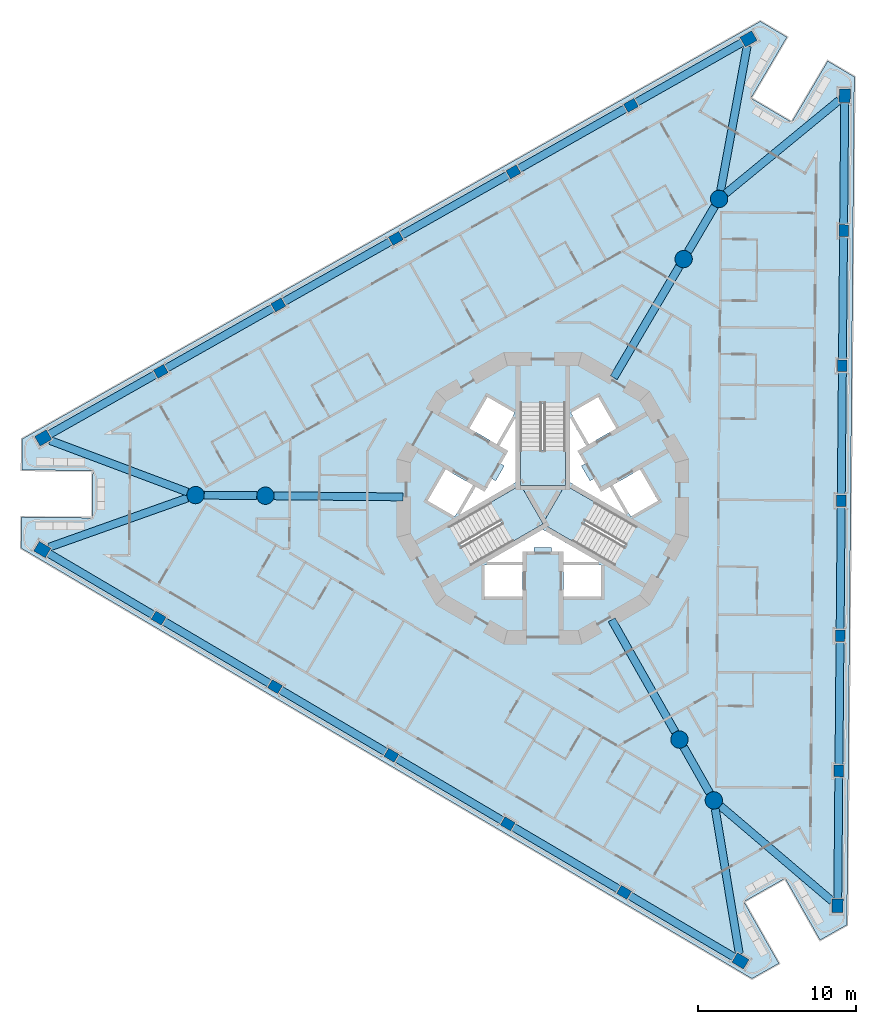
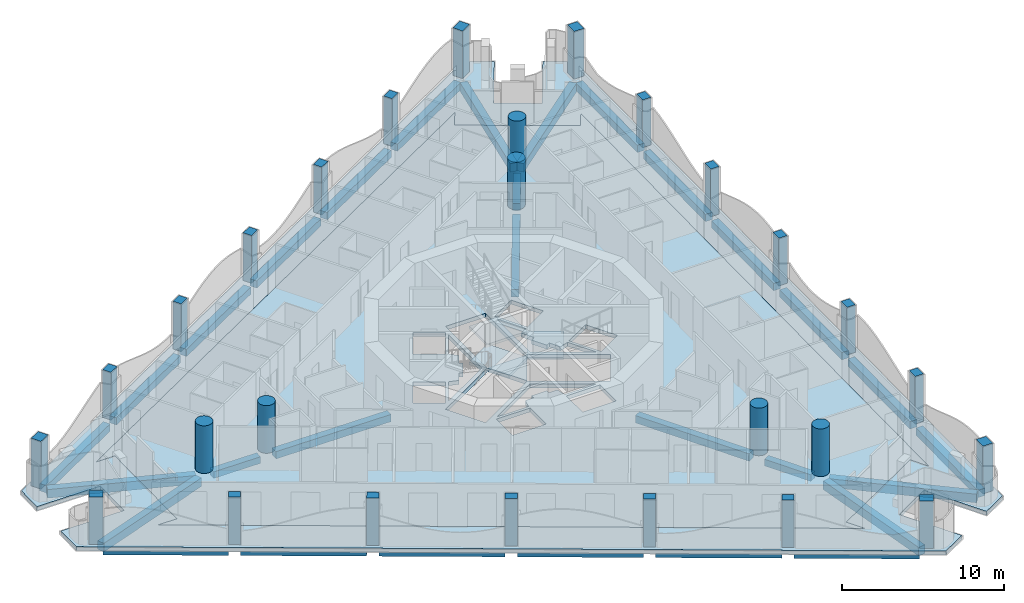
# One storey, part 1 of 17: 30 beams, 27 columns, 6 slabs, 3 elements without a shape of their own.
"""IFC4 building model written with IfcOpenShell, lengths in metres."""

from ifc_helpers import new_model, si_unit, direction, frame, origin, origin_2d, place, context, subcontext, project, spatial, polyline, rectangle, circle, outline, extrude, material, layer, layer_set, material_profile, profile_set, type_object, element, aggregate, save


model = new_model("IFC4")

# Units and contexts
model_context = context("Model", 3, precision=1e-05, world=origin(), true_north=direction((0.0, 1.0)))
body_context = subcontext(model_context, "Body", "Model", "MODEL_VIEW")
ifc_project = project(units=[si_unit("LENGTHUNIT", "METRE"), si_unit("AREAUNIT", "SQUARE_METRE"), si_unit("VOLUMEUNIT", "CUBIC_METRE"), si_unit("PLANEANGLEUNIT", "RADIAN"), si_unit("MASSUNIT", "GRAM", prefix="KILO")], contexts=[model_context])

# Site, building, storey
site_placement = place(None, origin())
site = spatial("IfcSite", under=ifc_project, at=site_placement, CompositionType="ELEMENT")
building_placement = place(site_placement, origin())
building = spatial("IfcBuilding", under=site, at=building_placement, Name="Trine Commons Tower", CompositionType="ELEMENT")
storey_placement = place(building_placement, frame((0.0, 0.0, 179.10009765625)))
storey = spatial("IfcBuildingStorey", under=building, at=storey_placement, Name="L46", CompositionType="ELEMENT", Elevation=179.10009765625)

# Columns
ifc_material_1 = material(Name="Concrete C60/75", Category="concrete")
ifc_material_profile_1 = material_profile(ifc_material_1, rectangle(XDim=0.75, YDim=0.60009765625, at=origin_2d()), Name="RC 750x600")
ifc_profile_set_1 = profile_set([ifc_material_profile_1], Name="Concrete C60/75")
column_type_1 = type_object("IfcColumnType", Name="RC column 750x600, C60/75", PredefinedType="COLUMN", material=ifc_profile_set_1)
for number, where, z_axis, x_axis, name in (
    (1, (85.15771484375, 37.483154296875, 0.0), (0.0, 0.0, 1.0), (-0.861629160442, 0.507538362961, 0.0), "Column PC5-02 L46"),
    (2, (77.773193359375, 41.8330078125, 0.0), (0.0, 0.0, 1.0), (-0.861629160442, 0.507538362961, 0.0), "Column PC5-03 L46"),
    (3, (70.388427734375, 46.182861328125, 0.0), (0.0, 0.0, 1.0), (-0.861629160442, 0.507538362961, 0.0), "Column PC5-04 L46"),
    (4, (63.00390625, 50.53271484375, 0.0), (0.0, 0.0, 1.0), (-0.861629160442, 0.507538362961, 0.0), "Column PC5-05 L46"),
    (5, (55.619140625, 54.8828125, 0.0), (0.0, 0.0, 1.0), (-0.861629160442, 0.507538362961, 0.0), "Column PC5-06 L46"),
    (6, (55.755859375, 70.541748046875, 0.0), (0.0, 0.0, 1.0), (0.87035569594, 0.492423560103, 0.0), "Column PC5-09 L46"),
    (7, (63.215087890625, 74.761962890625, 0.0), (0.0, 0.0, 1.0), (0.87035569594, 0.492423560103, 0.0), "Column PC5-10 L46"),
    (8, (70.6748046875, 78.982421875, 0.0), (0.0, 0.0, 1.0), (0.87035569594, 0.492423560103, 0.0), "Column PC5-11 L46"),
    (9, (78.13427734375, 83.202880859375, 0.0), (0.0, 0.0, 1.0), (0.87035569594, 0.492423560103, 0.0), "Column PC5-12 L46"),
    (10, (85.59375, 87.423095703125, 0.0), (0.0, 0.0, 1.0), (0.87035569594, 0.492423560103, 0.0), "Column PC5-13 L46"),
    (11, (99.08642578125, 79.475341796875, 0.0), (0.0, 0.0, 1.0), (0.008726535498, 0.999961923064, 0.0), "Column PC5-16 L46"),
    (12, (99.01171875, 70.905029296875, 0.0), (0.0, 0.0, 1.0), (0.008726535498, 0.999961923064, 0.0), "Column PC5-17 L46"),
    (13, (98.936767578125, 62.334716796875, 0.0), (0.0, 0.0, 1.0), (0.008726535498, 0.999961923064, 0.0), "Column PC5-18 L46"),
    (14, (98.862060546875, 53.764404296875, 0.0), (0.0, 0.0, 1.0), (0.008726535498, 0.999961923064, 0.0), "Column PC5-19 L46"),
    (15, (98.787109375, 45.194091796875, 0.0), (0.0, 0.0, 1.0), (0.008726535498, 0.999961923064, 0.0), "Column PC5-20 L46"),
):
    element("IfcColumn", number, at=place(storey_placement, frame(where, z_axis=z_axis, x_axis=x_axis)), inside=storey, type_object=column_type_1, Name=name, PredefinedType="COLUMN", context=body_context, shape_type="SweptSolid", body=[
        extrude(rectangle(XDim=0.75, YDim=0.60009765625, at=origin_2d()), origin(), (0.0, 0.0, 1.0), 3.599853515625),
    ])
ifc_material_profile_2 = material_profile(ifc_material_1, rectangle(XDim=0.85009765625, YDim=0.699951171875, at=origin_2d()), Name="RC 850x700")
ifc_profile_set_2 = profile_set([ifc_material_profile_2], Name="Concrete C60/75")
column_type_2 = type_object("IfcColumnType", Name="RC column 850x700, C60/75", PredefinedType="COLUMN", material=ifc_profile_set_2)
for number, where, z_axis, x_axis, name in (
    (16, (92.54248046875, 33.133056640625, 0.0), (0.0, 0.0, 1.0), (-0.861629160442, 0.507538362961, 0.0), "Column PC5-01 L46"),
    (17, (48.234375, 59.232666015625, 0.0), (0.0, 0.0, 1.0), (-0.861629160442, 0.507538362961, 0.0), "Column PC5-07 L46"),
    (18, (48.29638671875, 66.3212890625, 0.0), (0.0, 0.0, 1.0), (0.87035569594, 0.492423560103, 0.0), "Column PC5-08 L46"),
    (19, (93.052978515625, 91.6435546875, 0.0), (0.0, 0.0, 1.0), (0.87035569594, 0.492423560103, 0.0), "Column PC5-14 L46"),
    (20, (99.1611328125, 88.045654296875, 0.0), (0.0, 0.0, 1.0), (0.008726535498, 0.999961923064, 0.0), "Column PC5-15 L46"),
    (21, (98.71240234375, 36.623779296875, 0.0), (0.0, 0.0, 1.0), (0.008726535498, 0.999961923064, 0.0), "Column PC5-21 L46"),
):
    element("IfcColumn", number, at=place(storey_placement, frame(where, z_axis=z_axis, x_axis=x_axis)), inside=storey, type_object=column_type_2, Name=name, PredefinedType="COLUMN", context=body_context, shape_type="SweptSolid", body=[
        extrude(rectangle(XDim=0.85009765625, YDim=0.699951171875, at=origin_2d()), origin(), (0.0, 0.0, 1.0), 3.599853515625),
    ])
ifc_material_profile_3 = material_profile(ifc_material_1, circle(Radius=0.550048828125, at=origin_2d()), Name="RC round 1100")
ifc_profile_set_3 = profile_set([ifc_material_profile_3], Name="Concrete C60/75")
column_type_3 = type_object("IfcColumnType", Name="RC round column 1100 mm, C60/75", PredefinedType="COLUMN", material=ifc_profile_set_3)
for number, where, z_axis, x_axis, name in (
    (22, (88.66943359375, 47.177001953125, 0.0), (0.0, 0.0, 1.0), (1.0, 0.0, 0.0), "Column WC5-1 L46"),
    (23, (90.85205078125, 43.319091796875, 0.0), (0.0, 0.0, 1.0), (1.0, 0.0, 0.0), "Column WC5-2 L46"),
    (24, (88.935546875, 77.66943359375, 0.0), (0.0, 0.0, 1.0), (1.0, 0.0, 0.0), "Column WC5-3 L46"),
    (25, (91.185302734375, 81.488525390625, 0.0), (0.0, 0.0, 1.0), (1.0, 0.0, 0.0), "Column WC5-4 L46"),
    (26, (62.39501953125, 62.653564453125, 0.0), (0.0, 0.0, 1.0), (1.0, 0.0, 0.0), "Column WC5-5 L46"),
    (27, (57.962890625, 62.6923828125, 0.0), (0.0, 0.0, 1.0), (1.0, 0.0, 0.0), "Column WC5-6 L46"),
):
    element("IfcColumn", number, at=place(storey_placement, frame(where, z_axis=z_axis, x_axis=x_axis)), inside=storey, type_object=column_type_3, Name=name, PredefinedType="COLUMN", context=body_context, shape_type="SweptSolid", body=[
        extrude(circle(Radius=0.550048828125, at=origin_2d()), origin(), (0.0, 0.0, 1.0), 3.599853515625),
    ])

# Beams
ifc_material_2 = material(Name="Concrete C40/50", Category="concrete")
ifc_material_profile_4 = material_profile(ifc_material_2, rectangle(XDim=0.5, YDim=0.5, at=origin_2d()), Name="RC 500x500")
ifc_profile_set_4 = profile_set([ifc_material_profile_4], Name="Concrete C40/50")
beam_type_1 = type_object("IfcBeamType", Name="RC beam 500x500, C40/50", PredefinedType="BEAM", material=ifc_profile_set_4)
beam_1_placement = place(storey_placement, frame((88.93994140625, 46.698486328125, -0.550048828125), z_axis=(0.492474717644, -0.870326750411, 0.0), x_axis=(0.870326750411, 0.492474717644, 0.0)))
element("IfcBeam", 28, at=beam_1_placement, inside=storey, type_object=beam_type_1, Name="Beam RB5-02 L46", PredefinedType="BEAM", context=body_context, shape_type="SweptSolid", body=[
    extrude(rectangle(XDim=0.5, YDim=0.5, at=origin_2d()), origin(), (0.0, 0.0, 1.0), 3.333251953125),
])
beam_2_placement = place(storey_placement, frame((89.21435546875, 78.142578125, -0.550048828125), z_axis=(0.507522450497, 0.861638533401, 0.0), x_axis=(-0.861638533401, 0.507522450497, 0.0)))
element("IfcBeam", 29, at=beam_2_placement, inside=storey, type_object=beam_type_1, Name="Beam RB5-04 L46", PredefinedType="BEAM", context=body_context, shape_type="SweptSolid", body=[
    extrude(rectangle(XDim=0.5, YDim=0.5, at=origin_2d()), origin(), (0.0, 0.0, 1.0), 3.334228515625),
])
beam_3_placement = place(storey_placement, frame((61.84521484375, 62.658447265625, -0.550048828125), z_axis=(-0.999962000851, 0.008717617443, 0.0), x_axis=(-0.008717617443, -0.999962000851, 0.0)))
element("IfcBeam", 30, at=beam_3_placement, inside=storey, type_object=beam_type_1, Name="Beam RB5-06 L46", PredefinedType="BEAM", context=body_context, shape_type="SweptSolid", body=[
    extrude(rectangle(XDim=0.5, YDim=0.5, at=origin_2d()), origin(), (0.0, 0.0, 1.0), 3.332763671875),
])
ifc_material_profile_5 = material_profile(ifc_material_2, rectangle(XDim=0.5, YDim=0.550048828125, at=origin_2d()), Name="RC 500x550")
ifc_profile_set_5 = profile_set([ifc_material_profile_5], Name="Concrete C40/50")
beam_type_2 = type_object("IfcBeamType", Name="RC beam 500x550, C40/50", PredefinedType="BEAM", material=ifc_profile_set_5)
beam_4_placement = place(storey_placement, frame((92.17626953125, 33.348876953125, -0.5751953125), z_axis=(-0.861628755535, 0.507539050354, 0.0), x_axis=(-0.507539050354, -0.861628755535, 0.0)))
element("IfcBeam", 31, at=beam_4_placement, inside=storey, type_object=beam_type_2, Name="Beam EB5-01 L46", PredefinedType="BEAM", context=body_context, shape_type="SweptSolid", body=[
    extrude(rectangle(XDim=0.5, YDim=0.550048828125, at=origin_2d()), origin(), (0.0, 0.0, 1.0), 7.7705078125),
])
beam_5_placement = place(storey_placement, frame((84.834716796875, 37.67333984375, -0.5751953125), z_axis=(-0.861632320767, 0.507532997755, 0.0), x_axis=(-0.507532997755, -0.861632320767, 0.0)))
element("IfcBeam", 32, at=beam_5_placement, inside=storey, type_object=beam_type_2, Name="Beam EB5-02 L46", PredefinedType="BEAM", context=body_context, shape_type="SweptSolid", body=[
    extrude(rectangle(XDim=0.5, YDim=0.550048828125, at=origin_2d()), origin(), (0.0, 0.0, 1.0), 7.820556640625),
])
beam_6_placement = place(storey_placement, frame((77.4501953125, 42.023193359375, -0.5751953125), z_axis=(-0.861618669075, 0.507556173345, 0.0), x_axis=(-0.507556173345, -0.861618669075, 0.0)))
element("IfcBeam", 33, at=beam_6_placement, inside=storey, type_object=beam_type_2, Name="Beam EB5-03 L46", PredefinedType="BEAM", context=body_context, shape_type="SweptSolid", body=[
    extrude(rectangle(XDim=0.5, YDim=0.550048828125, at=origin_2d()), origin(), (0.0, 0.0, 1.0), 7.82080078125),
])
for number, where, z_axis, x_axis, name in (
    (34, (70.0654296875, 46.373291015625, -0.5751953125), (-0.861632320767, 0.507532997755, 0.0), (-0.507532997755, -0.861632320767, 0.0), "Beam EB5-04 L46"),
    (35, (62.6806640625, 50.72314453125, -0.5751953125), (-0.861632320767, 0.507532997755, 0.0), (-0.507532997755, -0.861632320767, 0.0), "Beam EB5-05 L46"),
):
    element("IfcBeam", number, at=place(storey_placement, frame(where, z_axis=z_axis, x_axis=x_axis)), inside=storey, type_object=beam_type_2, Name=name, PredefinedType="BEAM", context=body_context, shape_type="SweptSolid", body=[
        extrude(rectangle(XDim=0.5, YDim=0.550048828125, at=origin_2d()), origin(), (0.0, 0.0, 1.0), 7.820556640625),
    ])
for number, where, z_axis, x_axis, name in (
    (36, (55.2958984375, 55.072998046875, -0.5751953125), (-0.861628755535, 0.507539050354, 0.0), (-0.507539050354, -0.861628755535, 0.0), "Beam EB5-06 L46"),
    (37, (48.666259765625, 66.530517578125, -0.5751953125), (0.870356200913, 0.492422667566, 0.0), (-0.492422667566, 0.870356200913, 0.0), "Beam EB5-07 L46"),
):
    element("IfcBeam", number, at=place(storey_placement, frame(where, z_axis=z_axis, x_axis=x_axis)), inside=storey, type_object=beam_type_2, Name=name, PredefinedType="BEAM", context=body_context, shape_type="SweptSolid", body=[
        extrude(rectangle(XDim=0.5, YDim=0.550048828125, at=origin_2d()), origin(), (0.0, 0.0, 1.0), 7.7705078125),
    ])
for number, where, z_axis, x_axis, name in (
    (38, (56.082275390625, 70.726318359375, -0.5751953125), (0.87035228491, 0.49242958903, 0.0), (-0.49242958903, 0.87035228491, 0.0), "Beam EB5-08 L46"),
    (39, (63.54150390625, 74.94677734375, -0.5751953125), (0.870373233333, 0.492392561578, 0.0), (-0.492392561578, 0.870373233333, 0.0), "Beam EB5-09 L46"),
    (40, (71.001220703125, 79.1669921875, -0.5751953125), (0.87035228491, 0.49242958903, 0.0), (-0.49242958903, 0.87035228491, 0.0), "Beam EB5-10 L46"),
    (41, (78.460693359375, 83.387451171875, -0.5751953125), (0.870365664344, 0.492405940592, 0.0), (-0.492405940592, 0.870365664344, 0.0), "Beam EB5-11 L46"),
):
    element("IfcBeam", number, at=place(storey_placement, frame(where, z_axis=z_axis, x_axis=x_axis)), inside=storey, type_object=beam_type_2, Name=name, PredefinedType="BEAM", context=body_context, shape_type="SweptSolid", body=[
        extrude(rectangle(XDim=0.5, YDim=0.550048828125, at=origin_2d()), origin(), (0.0, 0.0, 1.0), 7.820556640625),
    ])
beam_7_placement = place(storey_placement, frame((85.920166015625, 87.60791015625, -0.5751953125), z_axis=(0.870362048186, 0.492412332377, 0.0), x_axis=(-0.492412332377, 0.870362048186, 0.0)))
element("IfcBeam", 42, at=beam_7_placement, inside=storey, type_object=beam_type_2, Name="Beam EB5-12 L46", PredefinedType="BEAM", context=body_context, shape_type="SweptSolid", body=[
    extrude(rectangle(XDim=0.5, YDim=0.550048828125, at=origin_2d()), origin(), (0.0, 0.0, 1.0), 7.770263671875),
])
beam_8_placement = place(storey_placement, frame((99.157470703125, 87.62060546875, -0.5751953125), z_axis=(-0.008734388901, -0.999961854498, 0.0), x_axis=(0.999961854498, -0.008734388901, 0.0)))
element("IfcBeam", 43, at=beam_8_placement, inside=storey, type_object=beam_type_2, Name="Beam EB5-13 L46", PredefinedType="BEAM", context=body_context, shape_type="SweptSolid", body=[
    extrude(rectangle(XDim=0.5, YDim=0.550048828125, at=origin_2d()), origin(), (0.0, 0.0, 1.0), 7.7705078125),
])
for number, where, z_axis, x_axis, name in (
    (44, (99.0830078125, 79.100341796875, -0.5751953125), (-0.008709709586, -0.99996206976, 0.0), (0.99996206976, -0.008709709586, 0.0), "Beam EB5-14 L46"),
    (45, (99.00830078125, 70.530029296875, -0.5751953125), (-0.008709709586, -0.99996206976, 0.0), (0.99996206976, -0.008709709586, 0.0), "Beam EB5-15 L46"),
    (46, (98.93359375, 61.959716796875, -0.5751953125), (-0.008740924802, -0.999961797387, 0.0), (0.999961797387, -0.008740924802, 0.0), "Beam EB5-16 L46"),
    (47, (98.858642578125, 53.389404296875, -0.5751953125), (-0.008709709586, -0.99996206976, 0.0), (0.99996206976, -0.008709709586, 0.0), "Beam EB5-17 L46"),
):
    element("IfcBeam", number, at=place(storey_placement, frame(where, z_axis=z_axis, x_axis=x_axis)), inside=storey, type_object=beam_type_2, Name=name, PredefinedType="BEAM", context=body_context, shape_type="SweptSolid", body=[
        extrude(rectangle(XDim=0.5, YDim=0.550048828125, at=origin_2d()), origin(), (0.0, 0.0, 1.0), 7.820556640625),
    ])
beam_9_placement = place(storey_placement, frame((98.783935546875, 44.819091796875, -0.5751953125), z_axis=(-0.008734388901, -0.999961854498, 0.0), x_axis=(0.999961854498, -0.008734388901, 0.0)))
element("IfcBeam", 48, at=beam_9_placement, inside=storey, type_object=beam_type_2, Name="Beam EB5-18 L46", PredefinedType="BEAM", context=body_context, shape_type="SweptSolid", body=[
    extrude(rectangle(XDim=0.5, YDim=0.550048828125, at=origin_2d()), origin(), (0.0, 0.0, 1.0), 7.7705078125),
])
beam_10_placement = place(storey_placement, frame((84.369384765625, 54.777099609375, -0.5751953125), z_axis=(0.492419995537, -0.870357712665, 0.0), x_axis=(0.870357712665, 0.492419995537, 0.0)))
element("IfcBeam", 49, at=beam_10_placement, inside=storey, type_object=beam_type_2, Name="Beam RB5-01 L46", PredefinedType="BEAM", context=body_context, shape_type="SweptSolid", body=[
    extrude(rectangle(XDim=0.5, YDim=0.550048828125, at=origin_2d()), origin(), (0.0, 0.0, 1.0), 8.1826171875),
])
beam_11_placement = place(storey_placement, frame((84.50341796875, 70.1455078125, -0.5751953125), z_axis=(0.507559825452, 0.861616517708, 0.0), x_axis=(-0.861616517708, 0.507559825452, 0.0)))
element("IfcBeam", 50, at=beam_11_placement, inside=storey, type_object=beam_type_2, Name="Beam RB5-03 L46", PredefinedType="BEAM", context=body_context, shape_type="SweptSolid", body=[
    extrude(rectangle(XDim=0.5, YDim=0.550048828125, at=origin_2d()), origin(), (0.0, 0.0, 1.0), 8.182861328125),
])
beam_12_placement = place(storey_placement, frame((71.127197265625, 62.577392578125, -0.5751953125), z_axis=(-0.999962048186, 0.008712186128, 0.0), x_axis=(-0.008712186128, -0.999962048186, 0.0)))
element("IfcBeam", 51, at=beam_12_placement, inside=storey, type_object=beam_type_2, Name="Beam RB5-05 L46", PredefinedType="BEAM", context=body_context, shape_type="SweptSolid", body=[
    extrude(rectangle(XDim=0.5, YDim=0.550048828125, at=origin_2d()), origin(), (0.0, 0.0, 1.0), 8.1826171875),
])
ifc_material_profile_6 = material_profile(ifc_material_2, rectangle(XDim=0.5, YDim=0.64990234375, at=origin_2d()), Name="RC 500x650")
ifc_profile_set_6 = profile_set([ifc_material_profile_6], Name="Concrete C40/50")
beam_type_3 = type_object("IfcBeamType", Name="RC beam 500x650, C40/50", PredefinedType="BEAM", material=ifc_profile_set_6)
beam_13_placement = place(storey_placement, frame((48.664306640625, 59.385498046875, -0.625), z_axis=(0.94219208675, 0.335073233287, 0.0), x_axis=(-0.335073233287, 0.94219208675, 0.0)))
element("IfcBeam", 52, at=beam_13_placement, inside=storey, type_object=beam_type_3, Name="Beam CB5-01 L46", PredefinedType="BEAM", context=body_context, shape_type="SweptSolid", body=[
    extrude(rectangle(XDim=0.5, YDim=0.64990234375, at=origin_2d()), origin(), (0.0, 0.0, 1.0), 9.31982421875),
])
beam_14_placement = place(storey_placement, frame((48.7236328125, 66.160888671875, -0.625), z_axis=(0.936203156272, -0.351459315123, 0.0), x_axis=(0.351459315123, 0.936203156272, 0.0)))
element("IfcBeam", 53, at=beam_14_placement, inside=storey, type_object=beam_type_3, Name="Beam CB5-02 L46", PredefinedType="BEAM", context=body_context, shape_type="SweptSolid", body=[
    extrude(rectangle(XDim=0.5, YDim=0.64990234375, at=origin_2d()), origin(), (0.0, 0.0, 1.0), 9.3193359375),
])
beam_15_placement = place(storey_placement, frame((92.970458984375, 91.194580078125, -0.625), z_axis=(-0.180897704794, -0.983501916826, 0.0), x_axis=(0.983501916826, -0.180897704794, 0.0)))
element("IfcBeam", 54, at=beam_15_placement, inside=storey, type_object=beam_type_3, Name="Beam CB5-03 L46", PredefinedType="BEAM", context=body_context, shape_type="SweptSolid", body=[
    extrude(rectangle(XDim=0.5, YDim=0.64990234375, at=origin_2d()), origin(), (0.0, 0.0, 1.0), 9.319091796875),
])
beam_16_placement = place(storey_placement, frame((98.80859375, 87.755859375, -0.625), z_axis=(-0.772466897343, -0.635055031087, 0.0), x_axis=(0.635055031087, -0.772466897343, 0.0)))
element("IfcBeam", 55, at=beam_16_placement, inside=storey, type_object=beam_type_3, Name="Beam CB5-04 L46", PredefinedType="BEAM", context=body_context, shape_type="SweptSolid", body=[
    extrude(rectangle(XDim=0.5, YDim=0.64990234375, at=origin_2d()), origin(), (0.0, 0.0, 1.0), 9.31884765625),
])
beam_17_placement = place(storey_placement, frame((98.364990234375, 36.919921875, -0.625), z_axis=(-0.761281547068, 0.648421472573, 0.0), x_axis=(-0.648421472573, -0.761281547068, 0.0)))
element("IfcBeam", 56, at=beam_17_placement, inside=storey, type_object=beam_type_3, Name="Beam CB5-05 L46", PredefinedType="BEAM", context=body_context, shape_type="SweptSolid", body=[
    extrude(rectangle(XDim=0.5, YDim=0.64990234375, at=origin_2d()), origin(), (0.0, 0.0, 1.0), 9.319091796875),
])
beam_18_placement = place(storey_placement, frame((92.4677734375, 33.583251953125, -0.625), z_axis=(-0.163727753956, 0.986505561355, 0.0), x_axis=(-0.986505561355, -0.163727753956, 0.0)))
element("IfcBeam", 57, at=beam_18_placement, inside=storey, type_object=beam_type_3, Name="Beam CB5-06 L46", PredefinedType="BEAM", context=body_context, shape_type="SweptSolid", body=[
    extrude(rectangle(XDim=0.5, YDim=0.64990234375, at=origin_2d()), origin(), (0.0, 0.0, 1.0), 9.319580078125),
])

# Slabs
ifc_layer_1 = layer(ifc_material_2, 0.300048828125)
ifc_layer_set_1 = layer_set([ifc_layer_1], Name="Concrete C40/50")
slab_type_1 = type_object("IfcSlabType", Name="Loggia slab 300 mm, C40/50", PredefinedType="FLOOR", material=ifc_layer_set_1)
slab_1_placement = place(storey_placement, frame((0.0, 0.0, -0.300048828125)))
element("IfcSlab", 58, at=slab_1_placement, inside=storey, type_object=slab_type_1, Name="Loggia slab L46", PredefinedType="FLOOR", context=body_context, shape_type="SweptSolid", body=[
    extrude(outline(polyline([(99.302001953125, 35.418701171875), (99.771484375, 89.240234375), (98.079345703125, 90.237060546875), (95.79541015625, 86.35986328125), (93.21044921875, 87.88232421875), (95.494384765625, 91.759765625), (93.802001953125, 92.756591796875), (46.956298828125, 66.252685546875), (46.939208984375, 64.28857421875), (51.439208984375, 64.249267578125), (51.412841796875, 61.24951171875), (46.9130859375, 61.288818359375), (46.89599609375, 59.32470703125), (93.27197265625, 32.007080078125), (94.9814453125, 32.974365234375), (92.765380859375, 36.890869140625), (95.376708984375, 38.3681640625), (97.592529296875, 34.45166015625), (99.302001953125, 35.418701171875)]), holes=[polyline([(90.156982421875, 36.627197265625), (89.494873046875, 37.7978515625), (96.28369140625, 41.638916015625), (96.94580078125, 40.46826171875), (97.327880859375, 84.232666015625), (96.645263671875, 83.07373046875), (89.924560546875, 87.03271484375), (90.607177734375, 88.19140625), (52.514892578125, 66.639892578125), (53.860107421875, 66.62841796875), (53.7919921875, 58.82861328125), (52.447021484375, 58.84033203125), (90.156982421875, 36.627197265625)])]), origin(), (0.0, 0.0, 1.0), 0.300048828125),
])
ifc_layer_2 = layer(ifc_material_2, 0.300048828125)
ifc_layer_set_2 = layer_set([ifc_layer_2], Name="Concrete C40/50")
slab_type_2 = type_object("IfcSlabType", Name="PT flat slab 300 mm, C40/50", PredefinedType="FLOOR", material=ifc_layer_set_2)
slab_2_placement = place(storey_placement, frame((0.0, 0.0, -0.300048828125)))
element("IfcSlab", 59, at=slab_2_placement, inside=storey, type_object=slab_type_2, Name="Floor slab L46", PredefinedType="FLOOR", context=body_context, shape_type="SweptSolid", body=[
    extrude(outline(polyline([(52.447021484375, 58.84033203125), (90.156982421875, 36.627197265625), (89.494873046875, 37.7978515625), (96.28369140625, 41.638916015625), (96.94580078125, 40.46826171875), (97.327880859375, 84.232666015625), (96.645263671875, 83.07373046875), (89.924560546875, 87.03271484375), (90.607177734375, 88.19140625), (52.514892578125, 66.639892578125), (53.860107421875, 66.62841796875), (53.7919921875, 58.82861328125), (52.447021484375, 58.84033203125)]), holes=[polyline([(78.699951171875, 56.25), (78.699951171875, 58.25), (76.300048828125, 58.25), (76.300048828125, 56.25), (78.699951171875, 56.25)]), polyline([(80.0, 60.8544921875), (84.4755859375, 58.2705078125), (85.900390625, 60.73876953125), (81.425048828125, 63.32275390625), (81.425048828125, 68.490478515625), (78.574951171875, 68.490478515625), (78.574951171875, 63.32275390625), (74.099609375, 60.73876953125), (75.5244140625, 58.2705078125), (80.0, 60.8544921875)]), polyline([(73.83740234375, 64.325927734375), (72.687255859375, 62.333984375), (74.41943359375, 61.333984375), (75.5693359375, 63.325927734375), (73.83740234375, 64.325927734375)]), polyline([(76.381103515625, 63.031005859375), (75.742919921875, 63.22607421875), (74.7099609375, 61.43798828125), (78.27490234375, 63.49609375), (78.27490234375, 67.612060546875), (77.242919921875, 65.823974609375), (77.73095703125, 65.368896484375), (77.3310546875, 64.676025390625), (77.555908203125, 64.5458984375), (77.006103515625, 63.593994140625), (76.781005859375, 63.722900390625), (76.381103515625, 63.031005859375)]), polyline([(76.4873046875, 68.916015625), (75.33740234375, 66.924072265625), (77.0693359375, 65.924072265625), (78.219482421875, 67.916015625), (76.4873046875, 68.916015625)]), polyline([(83.699951171875, 56.25), (83.699951171875, 58.25), (81.300048828125, 58.25), (81.300048828125, 56.25), (83.699951171875, 56.25)]), polyline([(81.14990234375, 59.10009765625), (81.300048828125, 58.449951171875), (83.56494140625, 58.449951171875), (80.0, 60.508056640625), (76.43505859375, 58.449951171875), (78.699951171875, 58.449951171875), (78.85009765625, 59.10009765625), (79.449951171875, 59.10009765625), (79.449951171875, 59.360107421875), (80.550048828125, 59.360107421875), (80.550048828125, 59.10009765625), (81.14990234375, 59.10009765625)]), polyline([(86.16259765625, 64.325927734375), (84.4306640625, 63.325927734375), (85.58056640625, 61.333984375), (87.312744140625, 62.333984375), (86.16259765625, 64.325927734375)]), polyline([(83.243896484375, 63.738037109375), (82.993896484375, 63.593994140625), (82.444091796875, 64.5458984375), (82.72705078125, 64.7099609375), (82.281005859375, 65.549072265625), (82.757080078125, 65.823974609375), (81.72509765625, 67.612060546875), (81.72509765625, 63.49609375), (85.2900390625, 61.43798828125), (84.257080078125, 63.22607421875), (83.618896484375, 63.031005859375), (83.243896484375, 63.738037109375)]), polyline([(84.66259765625, 66.924072265625), (83.5126953125, 68.916015625), (81.780517578125, 67.916015625), (82.9306640625, 65.924072265625), (84.66259765625, 66.924072265625)])]), origin(), (0.0, 0.0, 1.0), 0.300048828125),
])
slab_3_placement = place(storey_placement, frame((0.0, 0.0, -0.300048828125)))
element("IfcSlab", 60, at=slab_3_placement, inside=storey, type_object=slab_type_2, Name="Floor slab L46 2", PredefinedType="FLOOR", context=body_context, shape_type="SweptSolid", body=[
    extrude(outline(polyline([(78.61328125, 63.300537109375), (80.0, 60.89892578125), (81.38671875, 63.300537109375), (78.61328125, 63.300537109375)])), origin(), (0.0, 0.0, 1.0), 0.300048828125),
])

# Stair, slab
ifc_material_3 = material(Name="Concrete C50/60", Category="concrete")
stair_type = type_object("IfcStairType", Name="Exit stair, dog-leg, 24 risers of 150 mm", PredefinedType="HALF_TURN_STAIR", material=ifc_material_3)
stair_1_placement = place(storey_placement, origin())
stair_1 = element("IfcStair", 61, at=stair_1_placement, inside=storey, type_object=stair_type, Name="L46 Exit stair ST1B", PredefinedType="HALF_TURN_STAIR")
ifc_layer_3 = layer(ifc_material_3, 0.199951171875)
ifc_layer_set_3 = layer_set([ifc_layer_3], Name="Concrete C50/60")
slab_type_3 = type_object("IfcSlabType", Name="Stair landing slab 200 mm, C50/60", PredefinedType="LANDING", material=ifc_layer_set_3)
slab_4_placement = place(storey_placement, frame((0.0, 0.0, 1.599853515625)))
slab_4 = element("IfcSlab", 62, at=slab_4_placement, type_object=slab_type_3, Name="ST1B landing 1", PredefinedType="LANDING", context=body_context, shape_type="SweptSolid", body=[
    extrude(outline(polyline([(78.574951171875, 65.570556640625), (78.574951171875, 63.300537109375), (81.425048828125, 63.300537109375), (81.425048828125, 65.570556640625), (78.574951171875, 65.570556640625)])), origin(), (0.0, 0.0, 1.0), 0.199951171875),
])
aggregate(stair_1, [slab_4])

stair_2_placement = place(storey_placement, origin())
stair_2 = element("IfcStair", 63, at=stair_2_placement, inside=storey, type_object=stair_type, Name="L46 Exit stair ST2B", PredefinedType="HALF_TURN_STAIR")
slab_5_placement = place(storey_placement, frame((0.0, 0.0, 1.599853515625)))
slab_5 = element("IfcSlab", 64, at=slab_5_placement, type_object=slab_type_3, Name="ST2B landing 1", PredefinedType="LANDING", context=body_context, shape_type="SweptSolid", body=[
    extrude(outline(polyline([(78.05322265625, 59.730712890625), (80.019287109375, 60.86572265625), (78.59423828125, 63.333740234375), (76.628173828125, 62.19873046875), (78.05322265625, 59.730712890625)])), origin(), (0.0, 0.0, 1.0), 0.199951171875),
])
aggregate(stair_2, [slab_5])

stair_3_placement = place(storey_placement, origin())
stair_3 = element("IfcStair", 65, at=stair_3_placement, inside=storey, type_object=stair_type, Name="L46 Exit stair ST3B", PredefinedType="HALF_TURN_STAIR")
slab_6_placement = place(storey_placement, frame((0.0, 0.0, 1.599853515625)))
slab_6 = element("IfcSlab", 66, at=slab_6_placement, type_object=slab_type_3, Name="ST3B landing 1", PredefinedType="LANDING", context=body_context, shape_type="SweptSolid", body=[
    extrude(outline(polyline([(83.371826171875, 62.19873046875), (81.40576171875, 63.333740234375), (79.980712890625, 60.86572265625), (81.94677734375, 59.730712890625), (83.371826171875, 62.19873046875)])), origin(), (0.0, 0.0, 1.0), 0.199951171875),
])
aggregate(stair_3, [slab_6])

save(model, "model.ifc")
